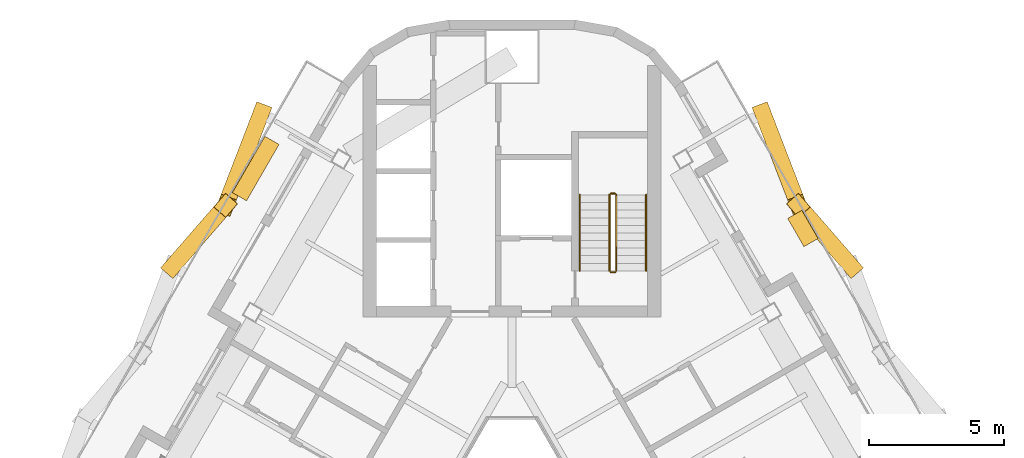
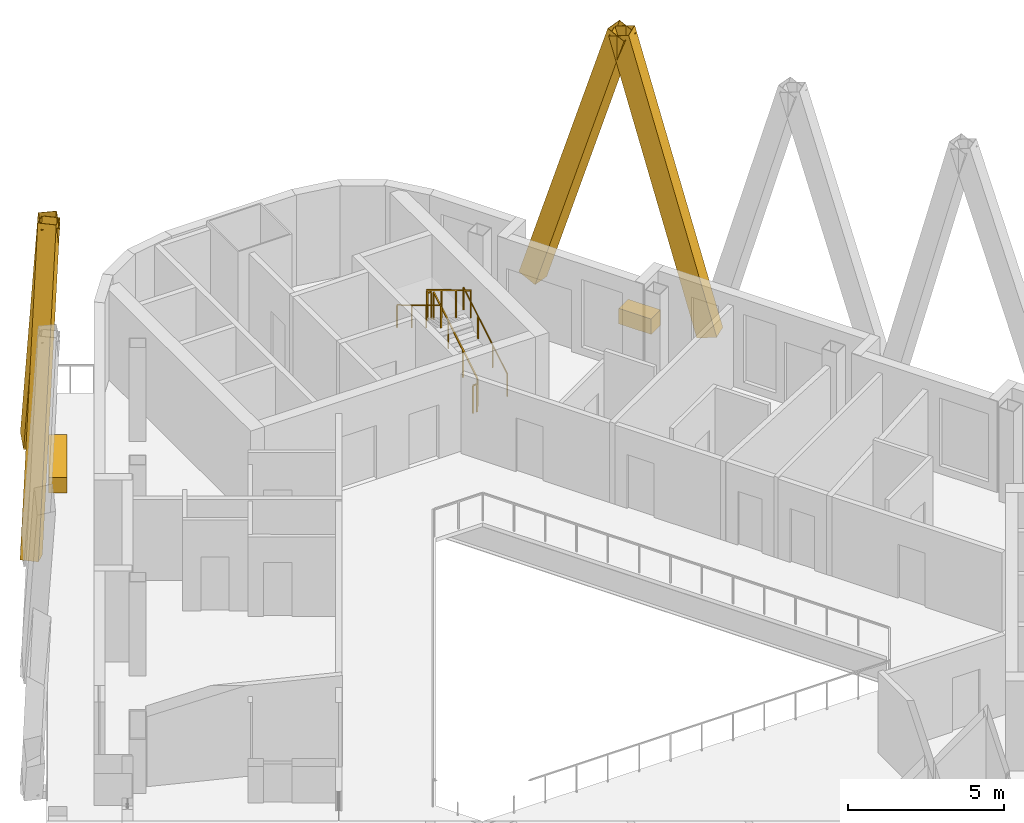
# One storey, part 11 of 11: 6 railings, 4 shading devices, 2 coverings.
"""IFC4 building model written with IfcOpenShell, lengths in metres."""

import ifcopenshell
import ifcopenshell.guid

model = None  # the IFC model being written
_history = None  # IfcOwnerHistory: only IFC2X3 demands one
_inside = {}  # id of a spatial element -> (the spatial element, [elements in it])
_under = {}  # id of a project, library or spatial element -> (it, [spatial elements below it])
_declared = {}  # id of a project -> (the project, [libraries it declares])
_typed = {}  # id of a type object -> (the type object, [elements of that type])
_made_of = {}  # id of a material, layer set ... -> (it, [elements and type objects made of it])


def new_model(schema):
    """Start an empty IFC model of exactly this schema.

    Asked for "IFC4X3", IfcOpenShell would pick the latest addendum, in which some entities
    have other attributes; the version numbers below select the first issue.
    IFC2X3 requires an IfcOwnerHistory on every rooted entity: one is made here for all.
    """
    global model, _history
    if schema == "IFC4X3":
        model = ifcopenshell.file(schema_version=(4, 3, 0, 0))
    else:
        model = ifcopenshell.file(schema=schema)
    _inside.clear()
    _under.clear()
    _declared.clear()
    _typed.clear()
    _made_of.clear()
    _history = None
    if model.schema == "IFC2X3":
        org = make("IfcOrganization", Name="unknown")
        user = make(
            "IfcPersonAndOrganization",
            ThePerson=make("IfcPerson", FamilyName="unknown"),
            TheOrganization=org,
        )
        app = make(
            "IfcApplication",
            ApplicationDeveloper=org,
            Version="unknown",
            ApplicationFullName="unknown",
            ApplicationIdentifier="unknown",
        )
        _history = make(
            "IfcOwnerHistory",
            OwningUser=user,
            OwningApplication=app,
            ChangeAction="ADDED",
            CreationDate=0,
        )
    return model


def make(cls, **values):
    """One entity of the class cls with the attributes given. An attribute that is None is left unset."""
    return model.create_entity(
        cls, **{name: value for name, value in values.items() if value is not None}
    )


def rooted(cls, **values):
    """An entity with a GlobalId (a new one), such as an element, a storey or a relation."""
    return make(cls, GlobalId=ifcopenshell.guid.new(), OwnerHistory=_history, **values)


def si_unit(unit_type, name, prefix=None):
    """IfcSIUnit, for example si_unit("LENGTHUNIT", "METRE", prefix="MILLI")."""
    return make("IfcSIUnit", UnitType=unit_type, Prefix=prefix, Name=name)


def assignment(units):
    """IfcUnitAssignment: the units of a project."""
    return None if units is None else make("IfcUnitAssignment", Units=units)


def point(xyz):
    """IfcCartesianPoint."""
    return None if xyz is None else make("IfcCartesianPoint", Coordinates=xyz)


def direction(xyz):
    """IfcDirection."""
    return None if xyz is None else make("IfcDirection", DirectionRatios=xyz)


def frame(location, z_axis=None, x_axis=None):
    """IfcAxis2Placement3D, a coordinate frame: its origin and axes. An axis left out is left unset."""
    return make(
        "IfcAxis2Placement3D",
        Location=point(location),
        Axis=direction(z_axis),
        RefDirection=direction(x_axis),
    )


def frame_2d(location, x_axis=None):
    """IfcAxis2Placement2D, a coordinate frame in the plane: its origin and x axis."""
    return make(
        "IfcAxis2Placement2D", Location=point(location), RefDirection=direction(x_axis)
    )


def origin():
    """The frame at (0, 0, 0) with its axes left unset."""
    return frame((0.0, 0.0, 0.0))


def origin_2d():
    """The frame at (0, 0) in the plane with its x axis left unset."""
    return frame_2d((0.0, 0.0))


def place(relative_to, where):
    """IfcLocalPlacement: puts the frame where relative to a parent placement (None: the world)."""
    return make(
        "IfcLocalPlacement", PlacementRelTo=relative_to, RelativePlacement=where
    )


def context(
    kind, dimensions, precision=None, world=None, true_north=None, identifier=None
):
    """IfcGeometricRepresentationContext, for example the 3D "Model" context."""
    return make(
        "IfcGeometricRepresentationContext",
        ContextIdentifier=identifier,
        ContextType=kind,
        CoordinateSpaceDimension=dimensions,
        Precision=precision,
        WorldCoordinateSystem=world,
        TrueNorth=true_north,
    )


def subcontext(parent, identifier, kind, view, scale=None):
    """IfcGeometricRepresentationSubContext, for example "Body" below "Model"."""
    return make(
        "IfcGeometricRepresentationSubContext",
        ContextIdentifier=identifier,
        ContextType=kind,
        ParentContext=parent,
        TargetScale=scale,
        TargetView=view,
    )


def project(units=None, contexts=None):
    """IfcProject with its units and contexts."""
    return rooted(
        "IfcProject",
        Name="project",
        RepresentationContexts=contexts,
        UnitsInContext=assignment(units),
    )


def spatial(cls, under=None, at=None, **own):
    """A site, building, storey or space (cls), placed at a placement, below another one or the project."""
    s = rooted(cls, ObjectPlacement=at, **own)
    if under is not None:
        _under.setdefault(under.id(), (under, []))[1].append(s)
    return s


def profile(cls, at=None, kind="AREA", **sizes):
    """A parametric profile (cls). Its sizes go by their IFC names, for example OverallWidth=200.0."""
    return make(cls, ProfileType=kind, Position=at, **sizes)


def rectangle(**sizes):
    """IfcRectangleProfileDef."""
    return profile("IfcRectangleProfileDef", **sizes)


def hollow_rectangle(**sizes):
    """IfcRectangleHollowProfileDef."""
    return profile("IfcRectangleHollowProfileDef", **sizes)


def circle(**sizes):
    """IfcCircleProfileDef."""
    return profile("IfcCircleProfileDef", **sizes)


def extrude(swept, where, along, depth):
    """IfcExtrudedAreaSolid: the profile swept, set in the frame where, extruded along a direction by depth."""
    return make(
        "IfcExtrudedAreaSolid",
        SweptArea=swept,
        Position=where,
        ExtrudedDirection=direction(along),
        Depth=depth,
    )


def shape(context_of_items, identifier, shape_type, items):
    """IfcShapeRepresentation: the items that make up one representation, for example the "Body"."""
    return make(
        "IfcShapeRepresentation",
        ContextOfItems=context_of_items,
        RepresentationIdentifier=identifier,
        RepresentationType=shape_type,
        Items=items,
    )


def material(Name=None, Category=None):
    """IfcMaterial."""
    return make("IfcMaterial", Name=Name, Category=Category)


def material_profile(
    of_material, cross_section, Name=None, Category=None, Priority=None
):
    """IfcMaterialProfile: a cross section and its material."""
    return make(
        "IfcMaterialProfile",
        Name=Name,
        Material=of_material,
        Profile=cross_section,
        Priority=Priority,
        Category=Category,
    )


def profile_set(profiles, Name=None, composite=None):
    """IfcMaterialProfileSet."""
    return make(
        "IfcMaterialProfileSet",
        Name=Name,
        MaterialProfiles=profiles,
        CompositeProfile=composite,
    )


def made_of(thing, what):
    """Note that an element or type object is made of a material, layer set ...; save() writes the relation."""
    if what is not None:
        _made_of.setdefault(what.id(), (what, []))[1].append(thing)
    return thing


def type_object(cls, material=None, **own):
    """A type object (cls), such as IfcWallType, which elements share."""
    return made_of(rooted(cls, **own), material)


def element(
    cls,
    number,
    at=None,
    inside=None,
    cuts=None,
    type_object=None,
    material=None,
    context=None,
    identifier="Body",
    shape_type=None,
    held_by="IfcProductDefinitionShape",
    body=None,
    shapes=None,
    **own,
):
    """One element of the class cls, such as IfcWall. Its Tag is "e" and its number.

    at: its placement. inside: the storey or other place that contains it. cuts: it is an
    opening in that element (IfcRelVoidsElement). A single representation is given by context,
    identifier, shape_type and body (its items); several are given by shapes. held_by: the class
    of the entity that holds the representations. save() writes the other relations.
    """
    e = rooted(cls, Tag="e%d" % number, ObjectPlacement=at, **own)
    if body is not None:
        shapes = [shape(context, identifier, shape_type, body)]
    if shapes is not None:
        e.Representation = make(held_by, Representations=shapes)
    if inside is not None:
        _inside.setdefault(inside.id(), (inside, []))[1].append(e)
    if cuts is not None:
        rooted(
            "IfcRelVoidsElement", RelatingBuildingElement=cuts, RelatedOpeningElement=e
        )
    if type_object is not None:
        _typed.setdefault(type_object.id(), (type_object, []))[1].append(e)
    return made_of(e, material)


def aggregate(whole, parts):
    """IfcRelAggregates: a whole, such as a stair, and the parts it consists of."""
    return rooted("IfcRelAggregates", RelatingObject=whole, RelatedObjects=parts)


def save(model, path):
    """Write the relations noted so far, then the file.

    IfcRelAggregates (storeys below a building ...), IfcRelContainedInSpatialStructure (elements
    in a storey), IfcRelDefinesByType, IfcRelAssociatesMaterial and IfcRelDeclares: one each for
    every whole, place, type object, material and project.
    """
    for whole, parts in _under.values():
        aggregate(whole, parts)
    for where, things in _inside.values():
        rooted(
            "IfcRelContainedInSpatialStructure",
            RelatedElements=things,
            RelatingStructure=where,
        )
    for kind, things in _typed.values():
        rooted("IfcRelDefinesByType", RelatedObjects=things, RelatingType=kind)
    for what, things in _made_of.values():
        rooted("IfcRelAssociatesMaterial", RelatedObjects=things, RelatingMaterial=what)
    for by, libraries in _declared.values():
        rooted("IfcRelDeclares", RelatingContext=by, RelatedDefinitions=libraries)
    model.write(path)


model = new_model("IFC4")

# Units and contexts
model_context = context("Model", 3, precision=1e-05, world=origin(), true_north=direction((0.0, 1.0)))
body_context = subcontext(model_context, "Body", "Model", "MODEL_VIEW")
ifc_project = project(units=[si_unit("LENGTHUNIT", "METRE"), si_unit("AREAUNIT", "SQUARE_METRE"), si_unit("VOLUMEUNIT", "CUBIC_METRE"), si_unit("PLANEANGLEUNIT", "RADIAN"), si_unit("MASSUNIT", "GRAM", prefix="KILO")], contexts=[model_context])

# Site, building, storey
site_placement = place(None, origin())
site = spatial("IfcSite", under=ifc_project, at=site_placement, CompositionType="ELEMENT")
building_placement = place(site_placement, origin())
building = spatial("IfcBuilding", under=site, at=building_placement, Name="Apuvela Tower Hotel", CompositionType="ELEMENT")
storey_placement = place(building_placement, frame((0.0, 0.0, 313.300048828125)))
storey = spatial("IfcBuildingStorey", under=building, at=storey_placement, Name="L78", CompositionType="ELEMENT", Elevation=313.300048828125)

# Railings
ifc_material_1 = material(Name="Steel S275 balustrade", Category="steel")
railing_type_1 = type_object("IfcRailingType", Name="COR-GUARD-1100", PredefinedType="GUARDRAIL", material=ifc_material_1)
railing_1_placement = place(storey_placement, frame((3.85009765625, 14.60009765625, 0.168212890625)))
element("IfcRailing", 1, at=railing_1_placement, inside=storey, type_object=railing_type_1, Name="L78 ST1 stair guard 1", PredefinedType="GUARDRAIL", context=body_context, shape_type="SweptSolid", body=[
    extrude(rectangle(XDim=0.048095703125, YDim=0.048095703125, at=origin_2d()), frame((0.0, 0.0, 1.076171875), z_axis=(0.0, 0.857255387014, 0.514891446264), x_axis=(-1.0, 0.0, 0.0)), (0.0, 0.0, 1.0), 3.26611328125),
    extrude(rectangle(XDim=0.0419921875, YDim=0.0419921875, at=origin_2d()), origin(), (0.0, 0.0, 1.0), 1.052001953125),
    extrude(rectangle(XDim=0.0419921875, YDim=0.0419921875, at=origin_2d()), frame((0.0, 0.933349609375, 0.560546875)), (0.0, 0.0, 1.0), 1.052001953125),
    extrude(rectangle(XDim=0.0419921875, YDim=0.0419921875, at=origin_2d()), frame((0.0, 1.866455078125, 1.12109375)), (0.0, 0.0, 1.0), 1.052001953125),
    extrude(rectangle(XDim=0.0419921875, YDim=0.0419921875, at=origin_2d()), frame((0.0, 2.7998046875, 1.681640625)), (0.0, 0.0, 1.0), 1.052001953125),
])
railing_2_placement = place(storey_placement, frame((3.800048828125, 17.449951171875, 1.849853515625)))
element("IfcRailing", 2, at=railing_2_placement, inside=storey, type_object=railing_type_1, Name="L78 ST1 stair guard 2", PredefinedType="GUARDRAIL", context=body_context, shape_type="SweptSolid", body=[
    extrude(rectangle(XDim=0.048095703125, YDim=0.048095703125, at=origin_2d()), frame((0.0, 0.0, 1.076171875), z_axis=(-1.0, 0.0, 0.0), x_axis=(0.0, -1.0, 0.0)), (0.0, 0.0, 1.0), 0.150146484375),
    extrude(rectangle(XDim=0.0419921875, YDim=0.0419921875, at=origin_2d()), origin(), (0.0, 0.0, 1.0), 1.052001953125),
    extrude(rectangle(XDim=0.0419921875, YDim=0.0419921875, at=origin_2d()), frame((-0.150146484375, 0.0, 0.0)), (0.0, 0.0, 1.0), 1.052001953125),
])
railing_3_placement = place(storey_placement, frame((3.60009765625, 17.39990234375, 2.01806640625)))
element("IfcRailing", 3, at=railing_3_placement, inside=storey, type_object=railing_type_1, Name="L78 ST1 stair guard 3", PredefinedType="GUARDRAIL", context=body_context, shape_type="SweptSolid", body=[
    extrude(rectangle(XDim=0.048095703125, YDim=0.048095703125, at=origin_2d()), frame((0.0, 0.0, 1.076171875), z_axis=(0.0, -0.857222391501, 0.514946377315), x_axis=(1.0, 0.0, 0.0)), (0.0, 0.0, 1.0), 3.26611328125),
    extrude(rectangle(XDim=0.0419921875, YDim=0.0419921875, at=origin_2d()), origin(), (0.0, 0.0, 1.0), 1.052001953125),
    extrude(rectangle(XDim=0.0419921875, YDim=0.0419921875, at=origin_2d()), frame((0.0, -0.933349609375, 0.560546875)), (0.0, 0.0, 1.0), 1.052001953125),
    extrude(rectangle(XDim=0.0419921875, YDim=0.0419921875, at=origin_2d()), frame((0.0, -1.866455078125, 1.121337890625)), (0.0, 0.0, 1.0), 1.052001953125),
    extrude(rectangle(XDim=0.0419921875, YDim=0.0419921875, at=origin_2d()), frame((0.0, -2.7998046875, 1.681884765625)), (0.0, 0.0, 1.0), 1.052001953125),
])
railing_4_placement = place(storey_placement, frame((3.800048828125, 14.550048828125, 0.0)))
element("IfcRailing", 4, at=railing_4_placement, inside=storey, type_object=railing_type_1, Name="L78 ST1 stair guard 4", PredefinedType="GUARDRAIL", context=body_context, shape_type="SweptSolid", body=[
    extrude(rectangle(XDim=0.048095703125, YDim=0.048095703125, at=origin_2d()), frame((0.0, 0.0, 1.076171875), z_axis=(-1.0, 0.0, 0.0), x_axis=(0.0, -1.0, 0.0)), (0.0, 0.0, 1.0), 0.150146484375),
    extrude(rectangle(XDim=0.0419921875, YDim=0.0419921875, at=origin_2d()), origin(), (0.0, 0.0, 1.0), 1.052001953125),
    extrude(rectangle(XDim=0.0419921875, YDim=0.0419921875, at=origin_2d()), frame((-0.150146484375, 0.0, 0.0)), (0.0, 0.0, 1.0), 1.052001953125),
])
ifc_material_2 = material(Name="Stainless steel 316 handrail", Category="steel")
railing_type_2 = type_object("IfcRailingType", Name="COR-HANDRAIL-900", PredefinedType="HANDRAIL", material=ifc_material_2)
railing_5_placement = place(storey_placement, frame((4.949951171875, 14.60009765625, 0.168212890625)))
element("IfcRailing", 5, at=railing_5_placement, inside=storey, type_object=railing_type_2, Name="L78 ST1 stair handrail 1", PredefinedType="HANDRAIL", context=body_context, shape_type="SweptSolid", body=[
    extrude(circle(Radius=0.02392578125, at=origin_2d()), frame((0.0, 0.0, 0.8759765625), z_axis=(0.0, 0.857255387014, 0.514891446264), x_axis=(-1.0, 0.0, 0.0)), (0.0, 0.0, 1.0), 3.26611328125),
    extrude(rectangle(XDim=0.0419921875, YDim=0.0419921875, at=origin_2d()), origin(), (0.0, 0.0, 1.0), 0.851806640625),
    extrude(rectangle(XDim=0.0419921875, YDim=0.0419921875, at=origin_2d()), frame((0.0, 0.933349609375, 0.560546875)), (0.0, 0.0, 1.0), 0.851806640625),
    extrude(rectangle(XDim=0.0419921875, YDim=0.0419921875, at=origin_2d()), frame((0.0, 1.866455078125, 1.12109375)), (0.0, 0.0, 1.0), 0.851806640625),
    extrude(rectangle(XDim=0.0419921875, YDim=0.0419921875, at=origin_2d()), frame((0.0, 2.7998046875, 1.681640625)), (0.0, 0.0, 1.0), 0.851806640625),
])
railing_6_placement = place(storey_placement, frame((2.5, 17.39990234375, 2.01806640625)))
element("IfcRailing", 6, at=railing_6_placement, inside=storey, type_object=railing_type_2, Name="L78 ST1 stair handrail 2", PredefinedType="HANDRAIL", context=body_context, shape_type="SweptSolid", body=[
    extrude(circle(Radius=0.02392578125, at=origin_2d()), frame((0.0, 0.0, 0.8759765625), z_axis=(0.0, -0.857222391501, 0.514946377315), x_axis=(1.0, 0.0, 0.0)), (0.0, 0.0, 1.0), 3.26611328125),
    extrude(rectangle(XDim=0.0419921875, YDim=0.0419921875, at=origin_2d()), origin(), (0.0, 0.0, 1.0), 0.851806640625),
    extrude(rectangle(XDim=0.0419921875, YDim=0.0419921875, at=origin_2d()), frame((0.0, -0.933349609375, 0.560546875)), (0.0, 0.0, 1.0), 0.851806640625),
    extrude(rectangle(XDim=0.0419921875, YDim=0.0419921875, at=origin_2d()), frame((0.0, -1.866455078125, 1.121337890625)), (0.0, 0.0, 1.0), 0.851806640625),
    extrude(rectangle(XDim=0.0419921875, YDim=0.0419921875, at=origin_2d()), frame((0.0, -2.7998046875, 1.681884765625)), (0.0, 0.0, 1.0), 0.851806640625),
])

# Shading devices
ifc_material_3 = material(Name="Aluminium 6063-T6, black anodised", Category="aluminium")
ifc_material_profile = material_profile(ifc_material_3, hollow_rectangle(XDim=0.60009765625, YDim=0.699951171875, WallThickness=0.011962890625, at=origin_2d()), Name="AL BOX 700x600x12")
ifc_profile_set = profile_set([ifc_material_profile], Name="Aluminium 6063-T6, black anodised")
shading_device_type = type_object("IfcShadingDeviceType", Name="ENV-FIN-700x600", PredefinedType="USERDEFINED", material=ifc_profile_set)
shading_device_1_placement = place(storey_placement, frame((12.52001953125, 14.76953125, -0.10009765625), z_axis=(-0.169905292859, 0.195588651082, 0.96585571957), x_axis=(-0.754933763264, -0.655801046876, 0.0)))
element("IfcShadingDevice", 7, at=shading_device_1_placement, inside=storey, type_object=shading_device_type, Name="Lattice fin NE679", ObjectType="FIN", PredefinedType="USERDEFINED", context=body_context, shape_type="SweptSolid", body=[
    extrude(hollow_rectangle(XDim=0.60009765625, YDim=0.699951171875, WallThickness=0.011962890625, at=origin_2d()), origin(), (0.0, 0.0, 1.0), 11.492431640625),
])
for number, where, z_axis, x_axis, name in (
    (8, (9.2548828125, 20.42529296875, -0.10009765625), (0.112319467623, -0.291642010519, 0.949910140431), (0.933185275487, 0.359395661653, 0.0), "Lattice fin NE680"),
    (9, (-9.2548828125, 20.42529296875, -0.10009765625), (-0.112319467623, -0.291642010519, 0.949910140431), (0.933185275487, -0.359395661653, 0.0), "Lattice fin NW701"),
):
    element("IfcShadingDevice", number, at=place(storey_placement, frame(where, z_axis=z_axis, x_axis=x_axis)), inside=storey, type_object=shading_device_type, Name=name, ObjectType="FIN", PredefinedType="USERDEFINED", context=body_context, shape_type="SweptSolid", body=[
        extrude(hollow_rectangle(XDim=0.60009765625, YDim=0.699951171875, WallThickness=0.011962890625, at=origin_2d()), origin(), (0.0, 0.0, 1.0), 11.685302734375),
    ])
shading_device_2_placement = place(storey_placement, frame((-12.52001953125, 14.76953125, -0.10009765625), z_axis=(0.169905292859, 0.195588651082, 0.96585571957), x_axis=(-0.754933763264, 0.655801046876, 0.0)))
element("IfcShadingDevice", 10, at=shading_device_2_placement, inside=storey, type_object=shading_device_type, Name="Lattice fin NW702", ObjectType="FIN", PredefinedType="USERDEFINED", context=body_context, shape_type="SweptSolid", body=[
    extrude(hollow_rectangle(XDim=0.60009765625, YDim=0.699951171875, WallThickness=0.011962890625, at=origin_2d()), origin(), (0.0, 0.0, 1.0), 11.492431640625),
])

# Coverings
ifc_material_4 = material(Name="Planting substrate and soil, planted")
covering_type_1 = type_object("IfcCoveringType", Name="ENV-PLANTER-1200x600", PredefinedType="USERDEFINED", material=ifc_material_4)
covering_1_placement = place(storey_placement, frame((10.73388671875, 16.1630859375, 0.0), z_axis=(0.0, 0.0, 1.0), x_axis=(-0.5, 0.866025403784, 0.0)))
element("IfcCovering", 11, at=covering_1_placement, inside=storey, type_object=covering_type_1, Name="Planter NE4", ObjectType="PLANTER", PredefinedType="USERDEFINED", context=body_context, shape_type="SweptSolid", body=[
    extrude(rectangle(XDim=1.199951171875, YDim=0.60009765625, at=origin_2d()), origin(), (0.0, 0.0, 1.0), 0.60009765625),
])
covering_type_2 = type_object("IfcCoveringType", Name="ENV-PLANTER-2400x600", PredefinedType="USERDEFINED", material=ifc_material_4)
covering_2_placement = place(storey_placement, frame((-9.456298828125, 18.3759765625, 0.0), z_axis=(0.0, 0.0, 1.0), x_axis=(-0.5, -0.866025403784, 0.0)))
element("IfcCovering", 12, at=covering_2_placement, inside=storey, type_object=covering_type_2, Name="Planter NW5", ObjectType="PLANTER", PredefinedType="USERDEFINED", context=body_context, shape_type="SweptSolid", body=[
    extrude(rectangle(XDim=2.39990234375, YDim=0.60009765625, at=origin_2d()), origin(), (0.0, 0.0, 1.0), 0.60009765625),
])

save(model, "model.ifc")
